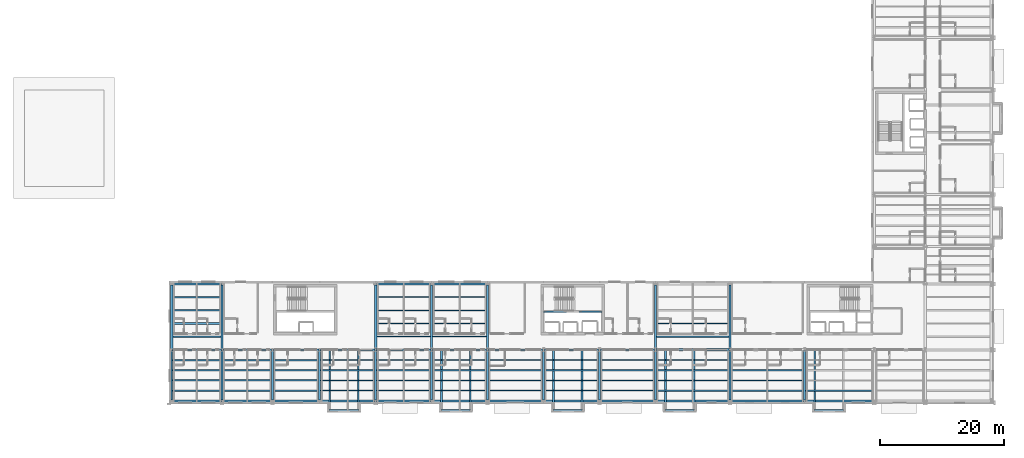
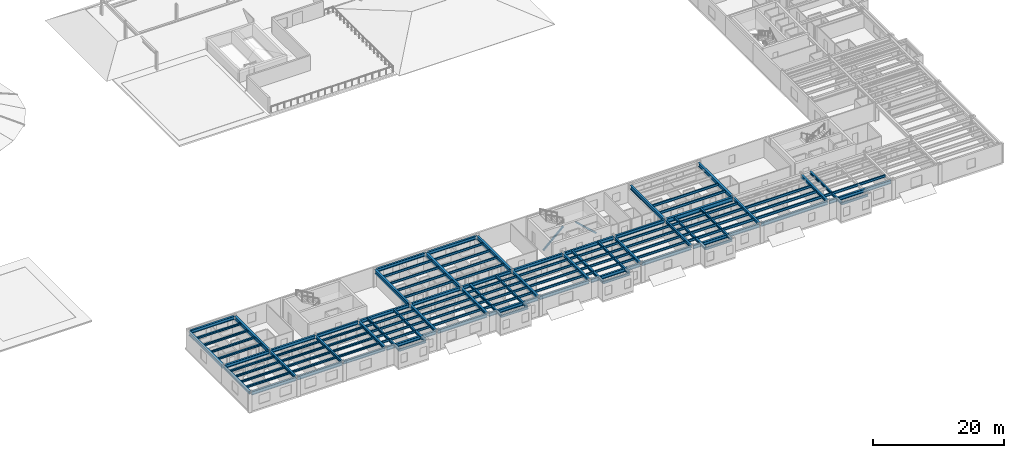
# One storey, part 7 of 34: 116 beams, 2 members.
"""IFC4 building model written with IfcOpenShell, lengths in metres."""

from ifc_helpers import new_model, si_unit, direction, frame, origin, origin_2d, place, context, subcontext, project, spatial, hollow_rectangle, i_section, extrude, material, material_profile, profile_set, type_object, element, save


model = new_model("IFC4")

# Units and contexts
model_context = context("Model", 3, precision=1e-05, world=origin(), true_north=direction((0.0, 1.0)))
body_context = subcontext(model_context, "Body", "Model", "MODEL_VIEW")
ifc_project = project(units=[si_unit("LENGTHUNIT", "METRE"), si_unit("AREAUNIT", "SQUARE_METRE"), si_unit("VOLUMEUNIT", "CUBIC_METRE"), si_unit("PLANEANGLEUNIT", "RADIAN"), si_unit("MASSUNIT", "GRAM", prefix="KILO")], contexts=[model_context])

# Site, building, storey
site_placement = place(None, origin())
site = spatial("IfcSite", under=ifc_project, at=site_placement, CompositionType="ELEMENT")
building_placement = place(site_placement, origin())
building = spatial("IfcBuilding", under=site, at=building_placement, Name="Sollismere Congress Hotel", CompositionType="ELEMENT")
storey_placement = place(building_placement, frame((0.0, 0.0, 23.39990234375)))
storey = spatial("IfcBuildingStorey", under=building, at=storey_placement, Name="L05", CompositionType="ELEMENT", Elevation=23.39990234375)

# Beams
ifc_material_1 = material(Name="Steel ASTM A992 Grade 50", Category="steel")
ifc_material_profile_1 = material_profile(ifc_material_1, i_section(OverallWidth=0.281982421875, OverallDepth=0.471923828125, WebThickness=0.013671875, FlangeThickness=0.022216796875, at=origin_2d()), Name="W18X97")
ifc_profile_set_1 = profile_set([ifc_material_profile_1], Name="Steel ASTM A992 Grade 50")
beam_type_1 = type_object("IfcBeamType", Name="BM-CK18E", PredefinedType="BEAM", material=ifc_profile_set_1)
for number, where, z_axis, x_axis, name in (
    (1, (59.60009765625, 8.199951171875, 3.089111328125), (0.0, -1.0, 0.0), (1.0, 0.0, 0.0), "Beam BM-L05-3949"),
    (2, (64.199951171875, 8.199951171875, 3.089111328125), (0.0, -1.0, 0.0), (1.0, 0.0, 0.0), "Beam BM-L05-3950"),
    (3, (77.60009765625, 8.199951171875, 3.089111328125), (0.0, -1.0, 0.0), (1.0, 0.0, 0.0), "Beam BM-L05-3952"),
    (4, (82.199951171875, 8.199951171875, 3.089111328125), (0.0, -1.0, 0.0), (1.0, 0.0, 0.0), "Beam BM-L05-3953"),
    (5, (95.60009765625, 8.199951171875, 3.089111328125), (0.0, -1.0, 0.0), (1.0, 0.0, 0.0), "Beam BM-L05-3955"),
    (6, (100.199951171875, 8.199951171875, 3.089111328125), (0.0, -1.0, 0.0), (1.0, 0.0, 0.0), "Beam BM-L05-3956"),
    (7, (113.60009765625, 8.199951171875, 3.089111328125), (0.0, -1.0, 0.0), (1.0, 0.0, 0.0), "Beam BM-L05-3958"),
    (8, (118.199951171875, 8.199951171875, 3.089111328125), (0.0, -1.0, 0.0), (1.0, 0.0, 0.0), "Beam BM-L05-3959"),
    (9, (137.60009765625, 8.199951171875, 3.089111328125), (0.0, -1.0, 0.0), (1.0, 0.0, 0.0), "Beam BM-L05-3961"),
):
    element("IfcBeam", number, at=place(storey_placement, frame(where, z_axis=z_axis, x_axis=x_axis)), inside=storey, type_object=beam_type_1, Name=name, PredefinedType="BEAM", context=body_context, shape_type="SweptSolid", body=[
        extrude(i_section(OverallWidth=0.281982421875, OverallDepth=0.471923828125, WebThickness=0.013671875, FlangeThickness=0.022216796875, at=origin_2d()), origin(), (0.0, 0.0, 1.0), 9.68994140625),
    ])
ifc_material_profile_2 = material_profile(ifc_material_1, i_section(OverallWidth=0.31494140625, OverallDepth=0.551025390625, WebThickness=0.01513671875, FlangeThickness=0.0244140625, at=origin_2d()), Name="W21X122")
ifc_profile_set_2 = profile_set([ifc_material_profile_2], Name="Steel ASTM A992 Grade 50")
beam_type_2 = type_object("IfcBeamType", Name="BM-G21H", PredefinedType="BEAM", material=ifc_profile_set_2)
for number, where, z_axis, x_axis, name in (
    (10, (34.199951171875, 0.139892578125, 3.049560546875), (0.0, 1.0, 0.0), (-1.0, 0.0, 0.0), "Beam BM-L05-2974"),
    (11, (42.300048828125, 0.139892578125, 3.049560546875), (0.0, 1.0, 0.0), (-1.0, 0.0, 0.0), "Beam BM-L05-2976"),
    (12, (50.39990234375, 0.139892578125, 3.049560546875), (0.0, 1.0, 0.0), (-1.0, 0.0, 0.0), "Beam BM-L05-2978"),
    (13, (58.0, 0.139892578125, 3.049560546875), (0.0, 1.0, 0.0), (-1.0, 0.0, 0.0), "Beam BM-L05-2979"),
    (14, (67.0, 0.139892578125, 3.049560546875), (0.0, 1.0, 0.0), (-1.0, 0.0, 0.0), "Beam BM-L05-2980"),
    (15, (76.0, 0.139892578125, 3.049560546875), (0.0, 1.0, 0.0), (-1.0, 0.0, 0.0), "Beam BM-L05-2982"),
    (16, (85.0, 0.139892578125, 3.049560546875), (0.0, 1.0, 0.0), (-1.0, 0.0, 0.0), "Beam BM-L05-2984"),
    (17, (94.0, 0.139892578125, 3.049560546875), (0.0, 1.0, 0.0), (-1.0, 0.0, 0.0), "Beam BM-L05-2986"),
    (18, (103.0, 0.139892578125, 3.049560546875), (0.0, 1.0, 0.0), (-1.0, 0.0, 0.0), "Beam BM-L05-2987"),
    (19, (112.0, 0.139892578125, 3.049560546875), (0.0, 1.0, 0.0), (-1.0, 0.0, 0.0), "Beam BM-L05-2988"),
    (20, (124.0, 0.139892578125, 3.049560546875), (0.0, 1.0, 0.0), (-1.0, 0.0, 0.0), "Beam BM-L05-2990"),
    (21, (136.0, 0.139892578125, 3.049560546875), (0.0, 1.0, 0.0), (-1.0, 0.0, 0.0), "Beam BM-L05-2992"),
):
    element("IfcBeam", number, at=place(storey_placement, frame(where, z_axis=z_axis, x_axis=x_axis)), inside=storey, type_object=beam_type_2, Name=name, PredefinedType="BEAM", context=body_context, shape_type="SweptSolid", body=[
        extrude(i_section(OverallWidth=0.31494140625, OverallDepth=0.551025390625, WebThickness=0.01513671875, FlangeThickness=0.0244140625, at=origin_2d()), origin(), (0.0, 0.0, 1.0), 7.920166015625),
    ])
ifc_material_profile_3 = material_profile(ifc_material_1, i_section(OverallWidth=0.324951171875, OverallDepth=0.612060546875, WebThickness=0.0126953125, FlangeThickness=0.01904296875, at=origin_2d()), Name="W24X104")
ifc_profile_set_3 = profile_set([ifc_material_profile_3], Name="Steel ASTM A992 Grade 50")
beam_type_3 = type_object("IfcBeamType", Name="BM-G24", PredefinedType="BEAM", material=ifc_profile_set_3)
beam_1_placement = place(storey_placement, frame((34.3310546875, 8.199951171875, 3.01904296875), z_axis=(1.0, 0.0, 0.0), x_axis=(0.0, 1.0, 0.0)))
element("IfcBeam", 22, at=beam_1_placement, inside=storey, type_object=beam_type_3, Name="Beam BM-L05-2947", PredefinedType="BEAM", context=body_context, shape_type="SweptSolid", body=[
    extrude(i_section(OverallWidth=0.324951171875, OverallDepth=0.612060546875, WebThickness=0.0126953125, FlangeThickness=0.01904296875, at=origin_2d()), origin(), (0.0, 0.0, 1.0), 7.837890625),
])
beam_2_placement = place(storey_placement, frame((42.430908203125, 8.199951171875, 3.01904296875), z_axis=(1.0, 0.0, 0.0), x_axis=(0.0, 1.0, 0.0)))
element("IfcBeam", 23, at=beam_2_placement, inside=storey, type_object=beam_type_3, Name="Beam BM-L05-2948", PredefinedType="BEAM", context=body_context, shape_type="SweptSolid", body=[
    extrude(i_section(OverallWidth=0.324951171875, OverallDepth=0.612060546875, WebThickness=0.0126953125, FlangeThickness=0.01904296875, at=origin_2d()), origin(), (0.0, 0.0, 1.0), 7.838134765625),
])
beam_3_placement = place(storey_placement, frame((50.531005859375, 8.199951171875, 3.01904296875), z_axis=(1.0, 0.0, 0.0), x_axis=(0.0, 1.0, 0.0)))
element("IfcBeam", 24, at=beam_3_placement, inside=storey, type_object=beam_type_3, Name="Beam BM-L05-2949", PredefinedType="BEAM", context=body_context, shape_type="SweptSolid", body=[
    extrude(i_section(OverallWidth=0.324951171875, OverallDepth=0.612060546875, WebThickness=0.0126953125, FlangeThickness=0.01904296875, at=origin_2d()), origin(), (0.0, 0.0, 1.0), 7.337890625),
])
beam_4_placement = place(storey_placement, frame((58.131103515625, 8.199951171875, 3.01904296875), z_axis=(1.0, 0.0, 0.0), x_axis=(0.0, 1.0, 0.0)))
element("IfcBeam", 25, at=beam_4_placement, inside=storey, type_object=beam_type_3, Name="Beam BM-L05-2950", PredefinedType="BEAM", context=body_context, shape_type="SweptSolid", body=[
    extrude(i_section(OverallWidth=0.324951171875, OverallDepth=0.612060546875, WebThickness=0.0126953125, FlangeThickness=0.01904296875, at=origin_2d()), origin(), (0.0, 0.0, 1.0), 8.72900390625),
])
for number, where, z_axis, x_axis, name in (
    (26, (67.139892578125, 8.199951171875, 3.01904296875), (1.0, 0.0, 0.0), (0.0, 1.0, 0.0), "Beam BM-L05-2951"),
    (27, (76.139892578125, 8.199951171875, 3.01904296875), (1.0, 0.0, 0.0), (0.0, 1.0, 0.0), "Beam BM-L05-2952"),
    (28, (85.139892578125, 8.199951171875, 3.01904296875), (1.0, 0.0, 0.0), (0.0, 1.0, 0.0), "Beam BM-L05-2953"),
    (29, (94.139892578125, 8.199951171875, 3.01904296875), (1.0, 0.0, 0.0), (0.0, 1.0, 0.0), "Beam BM-L05-2954"),
    (30, (103.139892578125, 8.199951171875, 3.01904296875), (1.0, 0.0, 0.0), (0.0, 1.0, 0.0), "Beam BM-L05-2955"),
):
    element("IfcBeam", number, at=place(storey_placement, frame(where, z_axis=z_axis, x_axis=x_axis)), inside=storey, type_object=beam_type_3, Name=name, PredefinedType="BEAM", context=body_context, shape_type="SweptSolid", body=[
        extrude(i_section(OverallWidth=0.324951171875, OverallDepth=0.612060546875, WebThickness=0.0126953125, FlangeThickness=0.01904296875, at=origin_2d()), origin(), (0.0, 0.0, 1.0), 8.72021484375),
    ])
beam_5_placement = place(storey_placement, frame((34.3310546875, 18.800048828125, 3.01904296875), z_axis=(1.0, 0.0, 0.0), x_axis=(0.0, 1.0, 0.0)))
element("IfcBeam", 31, at=beam_5_placement, inside=storey, type_object=beam_type_3, Name="Beam BM-L05-2961", PredefinedType="BEAM", context=body_context, shape_type="SweptSolid", body=[
    extrude(i_section(OverallWidth=0.324951171875, OverallDepth=0.612060546875, WebThickness=0.0126953125, FlangeThickness=0.01904296875, at=origin_2d()), origin(), (0.0, 0.0, 1.0), 7.837890625),
])
for number, where, z_axis, x_axis, name in (
    (32, (67.139892578125, 18.800048828125, 3.01904296875), (1.0, 0.0, 0.0), (0.0, 1.0, 0.0), "Beam BM-L05-2962"),
    (33, (76.139892578125, 18.800048828125, 3.01904296875), (1.0, 0.0, 0.0), (0.0, 1.0, 0.0), "Beam BM-L05-2963"),
):
    element("IfcBeam", number, at=place(storey_placement, frame(where, z_axis=z_axis, x_axis=x_axis)), inside=storey, type_object=beam_type_3, Name=name, PredefinedType="BEAM", context=body_context, shape_type="SweptSolid", body=[
        extrude(i_section(OverallWidth=0.324951171875, OverallDepth=0.612060546875, WebThickness=0.0126953125, FlangeThickness=0.01904296875, at=origin_2d()), origin(), (0.0, 0.0, 1.0), 8.72021484375),
    ])
ifc_material_profile_4 = material_profile(ifc_material_1, i_section(OverallWidth=0.35595703125, OverallDepth=0.696044921875, WebThickness=0.015380859375, FlangeThickness=0.025146484375, at=origin_2d()), Name="W27X146")
ifc_profile_set_4 = profile_set([ifc_material_profile_4], Name="Steel ASTM A992 Grade 50")
beam_type_4 = type_object("IfcBeamType", Name="BM-G27", PredefinedType="BEAM", material=ifc_profile_set_4)
for number, where, z_axis, x_axis, name in (
    (34, (34.199951171875, 8.340087890625, 2.97705078125), (0.0, 1.0, 0.0), (-1.0, 0.0, 0.0), "Beam BM-L05-2975"),
    (35, (42.300048828125, 8.340087890625, 2.97705078125), (0.0, 1.0, 0.0), (-1.0, 0.0, 0.0), "Beam BM-L05-2977"),
    (36, (67.0, 8.340087890625, 2.97705078125), (0.0, 1.0, 0.0), (-1.0, 0.0, 0.0), "Beam BM-L05-2981"),
    (37, (76.0, 8.340087890625, 2.97705078125), (0.0, 1.0, 0.0), (-1.0, 0.0, 0.0), "Beam BM-L05-2983"),
    (38, (85.0, 8.340087890625, 2.97705078125), (0.0, 1.0, 0.0), (-1.0, 0.0, 0.0), "Beam BM-L05-2985"),
    (39, (112.0, 8.340087890625, 2.97705078125), (0.0, 1.0, 0.0), (-1.0, 0.0, 0.0), "Beam BM-L05-2989"),
    (40, (124.0, 8.340087890625, 2.97705078125), (0.0, 1.0, 0.0), (-1.0, 0.0, 0.0), "Beam BM-L05-2991"),
):
    element("IfcBeam", number, at=place(storey_placement, frame(where, z_axis=z_axis, x_axis=x_axis)), inside=storey, type_object=beam_type_4, Name=name, PredefinedType="BEAM", context=body_context, shape_type="SweptSolid", body=[
        extrude(i_section(OverallWidth=0.35595703125, OverallDepth=0.696044921875, WebThickness=0.015380859375, FlangeThickness=0.025146484375, at=origin_2d()), origin(), (0.0, 0.0, 1.0), 10.31982421875),
    ])
ifc_material_profile_5 = material_profile(ifc_material_1, i_section(OverallWidth=0.384033203125, OverallDepth=0.787109375, WebThickness=0.019775390625, FlangeThickness=0.033447265625, at=origin_2d()), Name="W30X211")
ifc_profile_set_5 = profile_set([ifc_material_profile_5], Name="Steel ASTM A992 Grade 50")
beam_type_5 = type_object("IfcBeamType", Name="BM-G30", PredefinedType="BEAM", material=ifc_profile_set_5)
beam_6_placement = place(storey_placement, frame((112.139892578125, 8.199951171875, 2.931640625), z_axis=(1.0, 0.0, 0.0), x_axis=(0.0, 1.0, 0.0)))
element("IfcBeam", 41, at=beam_6_placement, inside=storey, type_object=beam_type_5, Name="Beam BM-L05-2956", PredefinedType="BEAM", context=body_context, shape_type="SweptSolid", body=[
    extrude(i_section(OverallWidth=0.384033203125, OverallDepth=0.787109375, WebThickness=0.019775390625, FlangeThickness=0.033447265625, at=origin_2d()), origin(), (0.0, 0.0, 1.0), 11.72021484375),
])
ifc_material_profile_6 = material_profile(ifc_material_1, i_section(OverallWidth=0.25390625, OverallDepth=0.35595703125, WebThickness=0.010498046875, FlangeThickness=0.018310546875, at=origin_2d()), Name="W14X68")
ifc_profile_set_6 = profile_set([ifc_material_profile_6], Name="Steel ASTM A992 Grade 50")
beam_type_6 = type_object("IfcBeamType", Name="BM-J14", PredefinedType="JOIST", material=ifc_profile_set_6)
for number, where, z_axis, x_axis, name in (
    (42, (34.357421875, 1.639892578125, 3.147216796875), (1.0, 0.0, 0.0), (0.0, 1.0, 0.0), "Beam BM-L05-3009"),
    (43, (34.357421875, 3.280029296875, 3.147216796875), (1.0, 0.0, 0.0), (0.0, 1.0, 0.0), "Beam BM-L05-3010"),
    (44, (34.357421875, 4.919921875, 3.147216796875), (1.0, 0.0, 0.0), (0.0, 1.0, 0.0), "Beam BM-L05-3011"),
    (45, (34.357421875, 6.56005859375, 3.147216796875), (1.0, 0.0, 0.0), (0.0, 1.0, 0.0), "Beam BM-L05-3012"),
):
    element("IfcBeam", number, at=place(storey_placement, frame(where, z_axis=z_axis, x_axis=x_axis)), inside=storey, type_object=beam_type_6, Name=name, PredefinedType="JOIST", context=body_context, shape_type="SweptSolid", body=[
        extrude(i_section(OverallWidth=0.25390625, OverallDepth=0.35595703125, WebThickness=0.010498046875, FlangeThickness=0.018310546875, at=origin_2d()), origin(), (0.0, 0.0, 1.0), 7.78515625),
    ])
for number, where, z_axis, x_axis, name in (
    (46, (34.3779296875, 10.320068359375, 3.147216796875), (1.0, 0.0, 0.0), (0.0, 1.0, 0.0), "Beam BM-L05-3013"),
    (47, (34.3779296875, 12.43994140625, 3.147216796875), (1.0, 0.0, 0.0), (0.0, 1.0, 0.0), "Beam BM-L05-3014"),
    (48, (34.3779296875, 14.56005859375, 3.147216796875), (1.0, 0.0, 0.0), (0.0, 1.0, 0.0), "Beam BM-L05-3015"),
    (49, (34.3779296875, 16.679931640625, 3.147216796875), (1.0, 0.0, 0.0), (0.0, 1.0, 0.0), "Beam BM-L05-3016"),
):
    element("IfcBeam", number, at=place(storey_placement, frame(where, z_axis=z_axis, x_axis=x_axis)), inside=storey, type_object=beam_type_6, Name=name, PredefinedType="JOIST", context=body_context, shape_type="SweptSolid", body=[
        extrude(i_section(OverallWidth=0.25390625, OverallDepth=0.35595703125, WebThickness=0.010498046875, FlangeThickness=0.018310546875, at=origin_2d()), origin(), (0.0, 0.0, 1.0), 7.744140625),
    ])
for number, where, z_axis, x_axis, name in (
    (50, (42.45751953125, 1.639892578125, 3.147216796875), (1.0, 0.0, 0.0), (0.0, 1.0, 0.0), "Beam BM-L05-3017"),
    (51, (42.45751953125, 3.280029296875, 3.147216796875), (1.0, 0.0, 0.0), (0.0, 1.0, 0.0), "Beam BM-L05-3018"),
    (52, (42.45751953125, 4.919921875, 3.147216796875), (1.0, 0.0, 0.0), (0.0, 1.0, 0.0), "Beam BM-L05-3019"),
    (53, (42.45751953125, 6.56005859375, 3.147216796875), (1.0, 0.0, 0.0), (0.0, 1.0, 0.0), "Beam BM-L05-3020"),
):
    element("IfcBeam", number, at=place(storey_placement, frame(where, z_axis=z_axis, x_axis=x_axis)), inside=storey, type_object=beam_type_6, Name=name, PredefinedType="JOIST", context=body_context, shape_type="SweptSolid", body=[
        extrude(i_section(OverallWidth=0.25390625, OverallDepth=0.35595703125, WebThickness=0.010498046875, FlangeThickness=0.018310546875, at=origin_2d()), origin(), (0.0, 0.0, 1.0), 7.784912109375),
    ])
for number, where, z_axis, x_axis, name in (
    (54, (50.5576171875, 1.639892578125, 3.147216796875), (1.0, 0.0, 0.0), (0.0, 1.0, 0.0), "Beam BM-L05-3021"),
    (55, (50.5576171875, 3.280029296875, 3.147216796875), (1.0, 0.0, 0.0), (0.0, 1.0, 0.0), "Beam BM-L05-3022"),
    (56, (50.5576171875, 4.919921875, 3.147216796875), (1.0, 0.0, 0.0), (0.0, 1.0, 0.0), "Beam BM-L05-3023"),
    (57, (50.5576171875, 6.56005859375, 3.147216796875), (1.0, 0.0, 0.0), (0.0, 1.0, 0.0), "Beam BM-L05-3024"),
):
    element("IfcBeam", number, at=place(storey_placement, frame(where, z_axis=z_axis, x_axis=x_axis)), inside=storey, type_object=beam_type_6, Name=name, PredefinedType="JOIST", context=body_context, shape_type="SweptSolid", body=[
        extrude(i_section(OverallWidth=0.25390625, OverallDepth=0.35595703125, WebThickness=0.010498046875, FlangeThickness=0.018310546875, at=origin_2d()), origin(), (0.0, 0.0, 1.0), 7.284912109375),
    ])
ifc_material_profile_7 = material_profile(ifc_material_1, i_section(OverallWidth=0.180908203125, OverallDepth=0.4169921875, WebThickness=0.010986328125, FlangeThickness=0.018310546875, at=origin_2d()), Name="W16X57")
ifc_profile_set_7 = profile_set([ifc_material_profile_7], Name="Steel ASTM A992 Grade 50")
beam_type_7 = type_object("IfcBeamType", Name="BM-J16", PredefinedType="JOIST", material=ifc_profile_set_7)
for number, where, z_axis, x_axis, name in (
    (58, (58.157470703125, 1.639892578125, 3.11669921875), (1.0, 0.0, 0.0), (0.0, 1.0, 0.0), "Beam BM-L05-3025"),
    (59, (58.157470703125, 3.280029296875, 3.11669921875), (1.0, 0.0, 0.0), (0.0, 1.0, 0.0), "Beam BM-L05-3026"),
    (60, (58.157470703125, 4.919921875, 3.11669921875), (1.0, 0.0, 0.0), (0.0, 1.0, 0.0), "Beam BM-L05-3027"),
    (61, (58.157470703125, 6.56005859375, 3.11669921875), (1.0, 0.0, 0.0), (0.0, 1.0, 0.0), "Beam BM-L05-3028"),
    (62, (67.157470703125, 1.639892578125, 3.11669921875), (1.0, 0.0, 0.0), (0.0, 1.0, 0.0), "Beam BM-L05-3029"),
    (63, (67.157470703125, 3.280029296875, 3.11669921875), (1.0, 0.0, 0.0), (0.0, 1.0, 0.0), "Beam BM-L05-3030"),
    (64, (67.157470703125, 4.919921875, 3.11669921875), (1.0, 0.0, 0.0), (0.0, 1.0, 0.0), "Beam BM-L05-3031"),
    (65, (67.157470703125, 6.56005859375, 3.11669921875), (1.0, 0.0, 0.0), (0.0, 1.0, 0.0), "Beam BM-L05-3032"),
):
    element("IfcBeam", number, at=place(storey_placement, frame(where, z_axis=z_axis, x_axis=x_axis)), inside=storey, type_object=beam_type_7, Name=name, PredefinedType="JOIST", context=body_context, shape_type="SweptSolid", body=[
        extrude(i_section(OverallWidth=0.180908203125, OverallDepth=0.4169921875, WebThickness=0.010986328125, FlangeThickness=0.018310546875, at=origin_2d()), origin(), (0.0, 0.0, 1.0), 8.68505859375),
    ])
for number, where, z_axis, x_axis, name in (
    (66, (67.177978515625, 10.320068359375, 3.11669921875), (1.0, 0.0, 0.0), (0.0, 1.0, 0.0), "Beam BM-L05-3033"),
    (67, (67.177978515625, 12.43994140625, 3.11669921875), (1.0, 0.0, 0.0), (0.0, 1.0, 0.0), "Beam BM-L05-3034"),
    (68, (67.177978515625, 14.56005859375, 3.11669921875), (1.0, 0.0, 0.0), (0.0, 1.0, 0.0), "Beam BM-L05-3035"),
    (69, (67.177978515625, 16.679931640625, 3.11669921875), (1.0, 0.0, 0.0), (0.0, 1.0, 0.0), "Beam BM-L05-3036"),
):
    element("IfcBeam", number, at=place(storey_placement, frame(where, z_axis=z_axis, x_axis=x_axis)), inside=storey, type_object=beam_type_7, Name=name, PredefinedType="JOIST", context=body_context, shape_type="SweptSolid", body=[
        extrude(i_section(OverallWidth=0.180908203125, OverallDepth=0.4169921875, WebThickness=0.010986328125, FlangeThickness=0.018310546875, at=origin_2d()), origin(), (0.0, 0.0, 1.0), 8.64404296875),
    ])
for number, where, z_axis, x_axis, name in (
    (70, (76.157470703125, 1.639892578125, 3.11669921875), (1.0, 0.0, 0.0), (0.0, 1.0, 0.0), "Beam BM-L05-3037"),
    (71, (76.157470703125, 3.280029296875, 3.11669921875), (1.0, 0.0, 0.0), (0.0, 1.0, 0.0), "Beam BM-L05-3038"),
    (72, (76.157470703125, 4.919921875, 3.11669921875), (1.0, 0.0, 0.0), (0.0, 1.0, 0.0), "Beam BM-L05-3039"),
    (73, (76.157470703125, 6.56005859375, 3.11669921875), (1.0, 0.0, 0.0), (0.0, 1.0, 0.0), "Beam BM-L05-3040"),
):
    element("IfcBeam", number, at=place(storey_placement, frame(where, z_axis=z_axis, x_axis=x_axis)), inside=storey, type_object=beam_type_7, Name=name, PredefinedType="JOIST", context=body_context, shape_type="SweptSolid", body=[
        extrude(i_section(OverallWidth=0.180908203125, OverallDepth=0.4169921875, WebThickness=0.010986328125, FlangeThickness=0.018310546875, at=origin_2d()), origin(), (0.0, 0.0, 1.0), 8.68505859375),
    ])
for number, where, z_axis, x_axis, name in (
    (74, (76.177978515625, 10.320068359375, 3.11669921875), (1.0, 0.0, 0.0), (0.0, 1.0, 0.0), "Beam BM-L05-3041"),
    (75, (76.177978515625, 12.43994140625, 3.11669921875), (1.0, 0.0, 0.0), (0.0, 1.0, 0.0), "Beam BM-L05-3042"),
    (76, (76.177978515625, 14.56005859375, 3.11669921875), (1.0, 0.0, 0.0), (0.0, 1.0, 0.0), "Beam BM-L05-3043"),
    (77, (76.177978515625, 16.679931640625, 3.11669921875), (1.0, 0.0, 0.0), (0.0, 1.0, 0.0), "Beam BM-L05-3044"),
):
    element("IfcBeam", number, at=place(storey_placement, frame(where, z_axis=z_axis, x_axis=x_axis)), inside=storey, type_object=beam_type_7, Name=name, PredefinedType="JOIST", context=body_context, shape_type="SweptSolid", body=[
        extrude(i_section(OverallWidth=0.180908203125, OverallDepth=0.4169921875, WebThickness=0.010986328125, FlangeThickness=0.018310546875, at=origin_2d()), origin(), (0.0, 0.0, 1.0), 8.64404296875),
    ])
for number, where, z_axis, x_axis, name in (
    (78, (85.157470703125, 1.639892578125, 3.11669921875), (1.0, 0.0, 0.0), (0.0, 1.0, 0.0), "Beam BM-L05-3045"),
    (79, (85.157470703125, 3.280029296875, 3.11669921875), (1.0, 0.0, 0.0), (0.0, 1.0, 0.0), "Beam BM-L05-3046"),
    (80, (85.157470703125, 4.919921875, 3.11669921875), (1.0, 0.0, 0.0), (0.0, 1.0, 0.0), "Beam BM-L05-3047"),
    (81, (85.157470703125, 6.56005859375, 3.11669921875), (1.0, 0.0, 0.0), (0.0, 1.0, 0.0), "Beam BM-L05-3048"),
    (82, (94.157470703125, 1.639892578125, 3.11669921875), (1.0, 0.0, 0.0), (0.0, 1.0, 0.0), "Beam BM-L05-3049"),
    (83, (94.157470703125, 3.280029296875, 3.11669921875), (1.0, 0.0, 0.0), (0.0, 1.0, 0.0), "Beam BM-L05-3050"),
    (84, (94.157470703125, 4.919921875, 3.11669921875), (1.0, 0.0, 0.0), (0.0, 1.0, 0.0), "Beam BM-L05-3051"),
    (85, (94.157470703125, 6.56005859375, 3.11669921875), (1.0, 0.0, 0.0), (0.0, 1.0, 0.0), "Beam BM-L05-3052"),
    (86, (103.157470703125, 1.639892578125, 3.11669921875), (1.0, 0.0, 0.0), (0.0, 1.0, 0.0), "Beam BM-L05-3053"),
    (87, (103.157470703125, 3.280029296875, 3.11669921875), (1.0, 0.0, 0.0), (0.0, 1.0, 0.0), "Beam BM-L05-3054"),
    (88, (103.157470703125, 4.919921875, 3.11669921875), (1.0, 0.0, 0.0), (0.0, 1.0, 0.0), "Beam BM-L05-3055"),
    (89, (103.157470703125, 6.56005859375, 3.11669921875), (1.0, 0.0, 0.0), (0.0, 1.0, 0.0), "Beam BM-L05-3056"),
):
    element("IfcBeam", number, at=place(storey_placement, frame(where, z_axis=z_axis, x_axis=x_axis)), inside=storey, type_object=beam_type_7, Name=name, PredefinedType="JOIST", context=body_context, shape_type="SweptSolid", body=[
        extrude(i_section(OverallWidth=0.180908203125, OverallDepth=0.4169921875, WebThickness=0.010986328125, FlangeThickness=0.018310546875, at=origin_2d()), origin(), (0.0, 0.0, 1.0), 8.68505859375),
    ])
ifc_material_profile_8 = material_profile(ifc_material_1, i_section(OverallWidth=0.193115234375, OverallDepth=0.467041015625, WebThickness=0.011474609375, FlangeThickness=0.01904296875, at=origin_2d()), Name="W18X65")
ifc_profile_set_8 = profile_set([ifc_material_profile_8], Name="Steel ASTM A992 Grade 50")
beam_type_8 = type_object("IfcBeamType", Name="BM-J18", PredefinedType="JOIST", material=ifc_profile_set_8)
for number, where, z_axis, x_axis, name in (
    (90, (112.157470703125, 1.639892578125, 3.091552734375), (1.0, 0.0, 0.0), (0.0, 1.0, 0.0), "Beam BM-L05-3057"),
    (91, (112.157470703125, 3.280029296875, 3.091552734375), (1.0, 0.0, 0.0), (0.0, 1.0, 0.0), "Beam BM-L05-3058"),
    (92, (112.157470703125, 4.919921875, 3.091552734375), (1.0, 0.0, 0.0), (0.0, 1.0, 0.0), "Beam BM-L05-3059"),
    (93, (112.157470703125, 6.56005859375, 3.091552734375), (1.0, 0.0, 0.0), (0.0, 1.0, 0.0), "Beam BM-L05-3060"),
):
    element("IfcBeam", number, at=place(storey_placement, frame(where, z_axis=z_axis, x_axis=x_axis)), inside=storey, type_object=beam_type_8, Name=name, PredefinedType="JOIST", context=body_context, shape_type="SweptSolid", body=[
        extrude(i_section(OverallWidth=0.193115234375, OverallDepth=0.467041015625, WebThickness=0.011474609375, FlangeThickness=0.01904296875, at=origin_2d()), origin(), (0.0, 0.0, 1.0), 11.68505859375),
    ])
for number, where, z_axis, x_axis, name in (
    (94, (112.177978515625, 10.320068359375, 3.091552734375), (1.0, 0.0, 0.0), (0.0, 1.0, 0.0), "Beam BM-L05-3061"),
    (95, (112.177978515625, 12.43994140625, 3.091552734375), (1.0, 0.0, 0.0), (0.0, 1.0, 0.0), "Beam BM-L05-3062"),
):
    element("IfcBeam", number, at=place(storey_placement, frame(where, z_axis=z_axis, x_axis=x_axis)), inside=storey, type_object=beam_type_8, Name=name, PredefinedType="JOIST", context=body_context, shape_type="SweptSolid", body=[
        extrude(i_section(OverallWidth=0.193115234375, OverallDepth=0.467041015625, WebThickness=0.011474609375, FlangeThickness=0.01904296875, at=origin_2d()), origin(), (0.0, 0.0, 1.0), 11.64404296875),
    ])
for number, where, z_axis, x_axis, name in (
    (96, (124.157470703125, 1.639892578125, 3.091552734375), (1.0, 0.0, 0.0), (0.0, 1.0, 0.0), "Beam BM-L05-3065"),
    (97, (124.157470703125, 3.280029296875, 3.091552734375), (1.0, 0.0, 0.0), (0.0, 1.0, 0.0), "Beam BM-L05-3066"),
    (98, (124.157470703125, 4.919921875, 3.091552734375), (1.0, 0.0, 0.0), (0.0, 1.0, 0.0), "Beam BM-L05-3067"),
):
    element("IfcBeam", number, at=place(storey_placement, frame(where, z_axis=z_axis, x_axis=x_axis)), inside=storey, type_object=beam_type_8, Name=name, PredefinedType="JOIST", context=body_context, shape_type="SweptSolid", body=[
        extrude(i_section(OverallWidth=0.193115234375, OverallDepth=0.467041015625, WebThickness=0.011474609375, FlangeThickness=0.01904296875, at=origin_2d()), origin(), (0.0, 0.0, 1.0), 11.68505859375),
    ])
beam_7_placement = place(storey_placement, frame((136.157470703125, 1.639892578125, 3.091552734375), z_axis=(1.0, 0.0, 0.0), x_axis=(0.0, 1.0, 0.0)))
element("IfcBeam", 99, at=beam_7_placement, inside=storey, type_object=beam_type_8, Name="Beam BM-L05-3069", PredefinedType="JOIST", context=body_context, shape_type="SweptSolid", body=[
    extrude(i_section(OverallWidth=0.193115234375, OverallDepth=0.467041015625, WebThickness=0.011474609375, FlangeThickness=0.01904296875, at=origin_2d()), origin(), (0.0, 0.0, 1.0), 10.885009765625),
])
ifc_material_profile_9 = material_profile(ifc_material_1, i_section(OverallWidth=0.261962890625, OverallDepth=0.4189453125, WebThickness=0.01171875, FlangeThickness=0.019287109375, at=origin_2d()), Name="W16X77")
ifc_profile_set_9 = profile_set([ifc_material_profile_9], Name="Steel ASTM A992 Grade 50")
beam_type_9 = type_object("IfcBeamType", Name="BM-LN16E", PredefinedType="LINTEL", material=ifc_profile_set_9)
for number, where, z_axis, x_axis, name in (
    (100, (59.60009765625, -1.489990234375, 3.115478515625), (1.0, 0.0, 0.0), (0.0, 1.0, 0.0), "Beam BM-L05-3951"),
    (101, (77.60009765625, -1.489990234375, 3.115478515625), (1.0, 0.0, 0.0), (0.0, 1.0, 0.0), "Beam BM-L05-3954"),
    (102, (95.60009765625, -1.489990234375, 3.115478515625), (1.0, 0.0, 0.0), (0.0, 1.0, 0.0), "Beam BM-L05-3957"),
    (103, (113.60009765625, -1.489990234375, 3.115478515625), (1.0, 0.0, 0.0), (0.0, 1.0, 0.0), "Beam BM-L05-3960"),
    (104, (137.60009765625, -1.489990234375, 3.115478515625), (1.0, 0.0, 0.0), (0.0, 1.0, 0.0), "Beam BM-L05-3963"),
):
    element("IfcBeam", number, at=place(storey_placement, frame(where, z_axis=z_axis, x_axis=x_axis)), inside=storey, type_object=beam_type_9, Name=name, PredefinedType="LINTEL", context=body_context, shape_type="SweptSolid", body=[
        extrude(i_section(OverallWidth=0.261962890625, OverallDepth=0.4189453125, WebThickness=0.01171875, FlangeThickness=0.019287109375, at=origin_2d()), origin(), (0.0, 0.0, 1.0), 4.599853515625),
    ])
ifc_material_profile_10 = material_profile(ifc_material_1, i_section(OverallWidth=0.31494140625, OverallDepth=0.551025390625, WebThickness=0.01513671875, FlangeThickness=0.0244140625, at=origin_2d()), Name="W21X122")
ifc_profile_set_10 = profile_set([ifc_material_profile_10], Name="Steel ASTM A992 Grade 50")
beam_type_10 = type_object("IfcBeamType", Name="BM-SP21E", PredefinedType="SPANDREL", material=ifc_profile_set_10)
beam_8_placement = place(storey_placement, frame((50.531005859375, 0.0, 3.049560546875), z_axis=(1.0, 0.0, 0.0), x_axis=(0.0, 1.0, 0.0)))
element("IfcBeam", 105, at=beam_8_placement, inside=storey, type_object=beam_type_10, Name="Beam BM-L05-2935", PredefinedType="SPANDREL", context=body_context, shape_type="SweptSolid", body=[
    extrude(i_section(OverallWidth=0.31494140625, OverallDepth=0.551025390625, WebThickness=0.01513671875, FlangeThickness=0.0244140625, at=origin_2d()), origin(), (0.0, 0.0, 1.0), 7.337890625),
])
ifc_material_profile_11 = material_profile(ifc_material_1, i_section(OverallWidth=0.330078125, OverallDepth=0.635009765625, WebThickness=0.017822265625, FlangeThickness=0.031005859375, at=origin_2d()), Name="W24X162")
ifc_profile_set_11 = profile_set([ifc_material_profile_11], Name="Steel ASTM A992 Grade 50")
beam_type_11 = type_object("IfcBeamType", Name="BM-SP24E", PredefinedType="SPANDREL", material=ifc_profile_set_11)
beam_9_placement = place(storey_placement, frame((34.3310546875, 0.0, 3.007568359375), z_axis=(1.0, 0.0, 0.0), x_axis=(0.0, 1.0, 0.0)))
element("IfcBeam", 106, at=beam_9_placement, inside=storey, type_object=beam_type_11, Name="Beam BM-L05-2933", PredefinedType="SPANDREL", context=body_context, shape_type="SweptSolid", body=[
    extrude(i_section(OverallWidth=0.330078125, OverallDepth=0.635009765625, WebThickness=0.017822265625, FlangeThickness=0.031005859375, at=origin_2d()), origin(), (0.0, 0.0, 1.0), 7.837890625),
])
beam_10_placement = place(storey_placement, frame((42.430908203125, 0.0, 3.007568359375), z_axis=(1.0, 0.0, 0.0), x_axis=(0.0, 1.0, 0.0)))
element("IfcBeam", 107, at=beam_10_placement, inside=storey, type_object=beam_type_11, Name="Beam BM-L05-2934", PredefinedType="SPANDREL", context=body_context, shape_type="SweptSolid", body=[
    extrude(i_section(OverallWidth=0.330078125, OverallDepth=0.635009765625, WebThickness=0.017822265625, FlangeThickness=0.031005859375, at=origin_2d()), origin(), (0.0, 0.0, 1.0), 7.838134765625),
])
beam_11_placement = place(storey_placement, frame((58.131103515625, 0.0, 3.007568359375), z_axis=(1.0, 0.0, 0.0), x_axis=(0.0, 1.0, 0.0)))
element("IfcBeam", 108, at=beam_11_placement, inside=storey, type_object=beam_type_11, Name="Beam BM-L05-2936", PredefinedType="SPANDREL", context=body_context, shape_type="SweptSolid", body=[
    extrude(i_section(OverallWidth=0.330078125, OverallDepth=0.635009765625, WebThickness=0.017822265625, FlangeThickness=0.031005859375, at=origin_2d()), origin(), (0.0, 0.0, 1.0), 8.72900390625),
])
for number, where, z_axis, x_axis, name in (
    (109, (67.139892578125, 0.0, 3.007568359375), (1.0, 0.0, 0.0), (0.0, 1.0, 0.0), "Beam BM-L05-2937"),
    (110, (76.139892578125, 0.0, 3.007568359375), (1.0, 0.0, 0.0), (0.0, 1.0, 0.0), "Beam BM-L05-2938"),
    (111, (85.139892578125, 0.0, 3.007568359375), (1.0, 0.0, 0.0), (0.0, 1.0, 0.0), "Beam BM-L05-2939"),
    (112, (94.139892578125, 0.0, 3.007568359375), (1.0, 0.0, 0.0), (0.0, 1.0, 0.0), "Beam BM-L05-2940"),
    (113, (103.139892578125, 0.0, 3.007568359375), (1.0, 0.0, 0.0), (0.0, 1.0, 0.0), "Beam BM-L05-2941"),
):
    element("IfcBeam", number, at=place(storey_placement, frame(where, z_axis=z_axis, x_axis=x_axis)), inside=storey, type_object=beam_type_11, Name=name, PredefinedType="SPANDREL", context=body_context, shape_type="SweptSolid", body=[
        extrude(i_section(OverallWidth=0.330078125, OverallDepth=0.635009765625, WebThickness=0.017822265625, FlangeThickness=0.031005859375, at=origin_2d()), origin(), (0.0, 0.0, 1.0), 8.72021484375),
    ])
for number, where, z_axis, x_axis, name in (
    (114, (112.139892578125, 0.0, 3.007568359375), (1.0, 0.0, 0.0), (0.0, 1.0, 0.0), "Beam BM-L05-2942"),
    (115, (124.139892578125, 0.0, 3.007568359375), (1.0, 0.0, 0.0), (0.0, 1.0, 0.0), "Beam BM-L05-2943"),
):
    element("IfcBeam", number, at=place(storey_placement, frame(where, z_axis=z_axis, x_axis=x_axis)), inside=storey, type_object=beam_type_11, Name=name, PredefinedType="SPANDREL", context=body_context, shape_type="SweptSolid", body=[
        extrude(i_section(OverallWidth=0.330078125, OverallDepth=0.635009765625, WebThickness=0.017822265625, FlangeThickness=0.031005859375, at=origin_2d()), origin(), (0.0, 0.0, 1.0), 11.72021484375),
    ])
beam_12_placement = place(storey_placement, frame((136.139892578125, 0.0, 3.007568359375), z_axis=(1.0, 0.0, 0.0), x_axis=(0.0, 1.0, 0.0)))
element("IfcBeam", 116, at=beam_12_placement, inside=storey, type_object=beam_type_11, Name="Beam BM-L05-2944", PredefinedType="SPANDREL", context=body_context, shape_type="SweptSolid", body=[
    extrude(i_section(OverallWidth=0.330078125, OverallDepth=0.635009765625, WebThickness=0.017822265625, FlangeThickness=0.031005859375, at=origin_2d()), origin(), (0.0, 0.0, 1.0), 10.920166015625),
])

# Members
ifc_material_2 = material(Name="Steel ASTM A500 Grade C", Category="steel")
ifc_material_profile_12 = material_profile(ifc_material_2, hollow_rectangle(XDim=0.25, YDim=0.25, WallThickness=0.010009765625, at=origin_2d()), Name="HSS250X250X10")
ifc_profile_set_12 = profile_set([ifc_material_profile_12], Name="Steel ASTM A500 Grade C")
member_type = type_object("IfcMemberType", Name="MB-BR250", PredefinedType="BRACE", material=ifc_profile_set_12)
for number, where, z_axis, x_axis, name in (
    (117, (94.050048828125, 14.35009765625, 0.02001953125), (0.733959150949, 0.0, 0.679193613587), (0.0, 1.0, 0.0), "BF-011 diagonal brace"),
    (118, (103.35009765625, 14.35009765625, 0.02001953125), (-0.733959150949, 0.0, 0.679193613587), (0.0, -1.0, 0.0), "BF-012 diagonal brace"),
):
    element("IfcMember", number, at=place(storey_placement, frame(where, z_axis=z_axis, x_axis=x_axis)), inside=storey, type_object=member_type, Name=name, PredefinedType="BRACE", context=body_context, shape_type="SweptSolid", body=[
        extrude(hollow_rectangle(XDim=0.25, YDim=0.25, WallThickness=0.010009765625, at=origin_2d()), origin(), (0.0, 0.0, 1.0), 4.8369140625),
    ])

save(model, "model.ifc")
